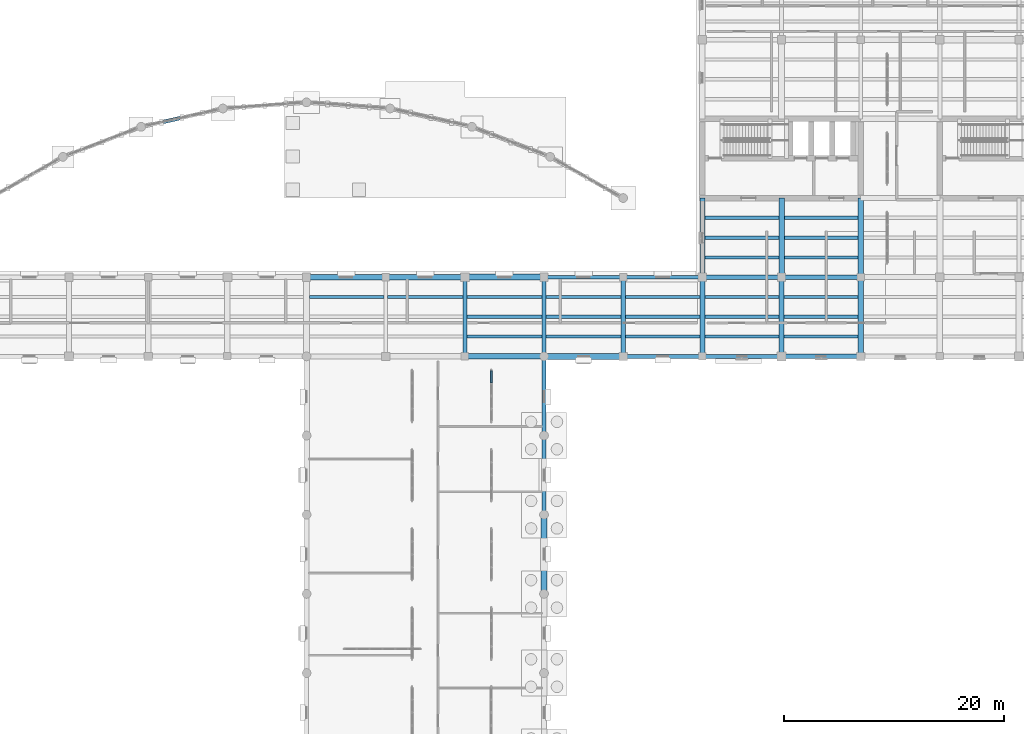
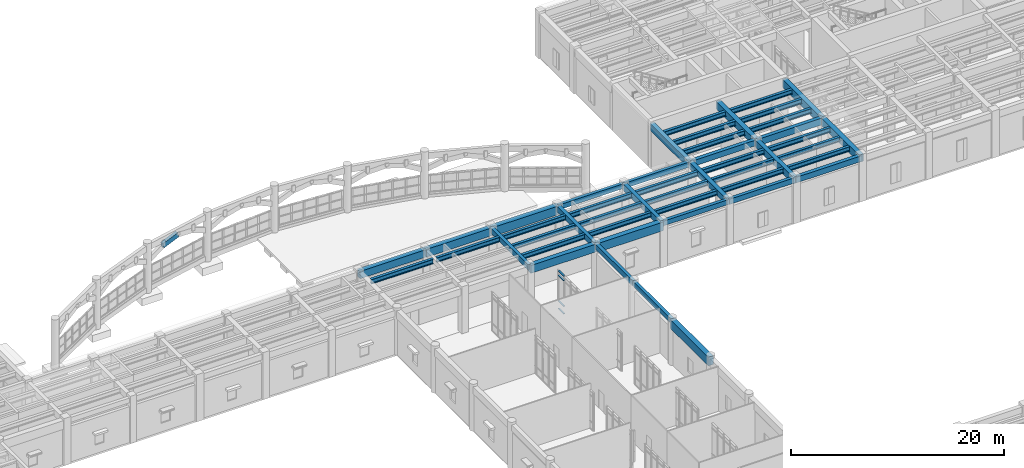
# One storey, part 30 of 100: 47 beams, 5 members, 1 element without a shape of its own.
"""IFC4 building model written with IfcOpenShell, lengths in metres."""

from ifc_helpers import new_model, si_unit, direction, frame, origin, origin_2d, place, context, subcontext, project, spatial, rectangle, i_section, extrude, material, material_profile, profile_set, type_object, element, aggregate, save


model = new_model("IFC4")

# Units and contexts
model_context = context("Model", 3, precision=1e-05, world=origin(), true_north=direction((0.0, 1.0)))
body_context = subcontext(model_context, "Body", "Model", "MODEL_VIEW")
ifc_project = project(units=[si_unit("LENGTHUNIT", "METRE"), si_unit("AREAUNIT", "SQUARE_METRE"), si_unit("VOLUMEUNIT", "CUBIC_METRE"), si_unit("PLANEANGLEUNIT", "RADIAN"), si_unit("MASSUNIT", "GRAM", prefix="KILO")], contexts=[model_context])

# Site, building, storey
site_placement = place(None, origin())
site = spatial("IfcSite", under=ifc_project, at=site_placement, CompositionType="ELEMENT")
building_placement = place(site_placement, origin())
building = spatial("IfcBuilding", under=site, at=building_placement, Name="Mithqara Police Headquarters", CompositionType="ELEMENT")
storey_placement = place(building_placement, origin())
storey = spatial("IfcBuildingStorey", under=building, at=storey_placement, Name="L00", CompositionType="ELEMENT", Elevation=0.0)

# Member
ifc_material_1 = material(Name="Concrete C50/60", Category="concrete")
ifc_material_profile_1 = material_profile(ifc_material_1, rectangle(XDim=0.35009765625, YDim=0.550048828125, at=origin_2d()), Name="ARC 350x550")
ifc_profile_set_1 = profile_set([ifc_material_profile_1], Name="Concrete C50/60")
member_type_1 = type_object("IfcMemberType", Name="ARCH SEG 350X550", PredefinedType="STRUT", material=ifc_profile_set_1)
member_1_placement = place(storey_placement, frame((59.416748046875, 99.896484375, 4.069091796875), z_axis=(0.956973714204, 0.21402850886, 0.195941592618), x_axis=(-0.218259342229, 0.975890803077, 0.0)))
element("IfcMember", 1, at=member_1_placement, inside=storey, type_object=member_type_1, Name="Forecourt Colonnade Bay 3 Ottoman Arch Chord 2", PredefinedType="STRUT", context=body_context, shape_type="SweptSolid", body=[
    extrude(rectangle(XDim=0.35009765625, YDim=0.550048828125, at=origin_2d()), origin(), (0.0, 0.0, 1.0), 1.94384765625),
])

# Beams
ifc_material_2 = material(Name="Steel S355JR", Category="steel")
ifc_material_profile_2 = material_profile(ifc_material_2, i_section(OverallWidth=0.300048828125, OverallDepth=0.550048828125, WebThickness=0.014892578125, FlangeThickness=0.029052734375, FilletRadius=0.027099609375, at=origin_2d()), Name="HEB 550")
ifc_profile_set_2 = profile_set([ifc_material_profile_2], Name="Steel S355JR")
beam_type_1 = type_object("IfcBeamType", Name="BEAM HEB550", PredefinedType="BEAM", material=ifc_profile_set_2)
beam_1_placement = place(storey_placement, frame((72.875, 84.0, 4.844970703125), z_axis=(1.0, 0.0, 0.0), x_axis=(0.0, 1.0, 0.0)))
element("IfcBeam", 2, at=beam_1_placement, inside=storey, type_object=beam_type_1, Name="L00 Composite Steel Joist 11-12/M.3", PredefinedType="BEAM", context=body_context, shape_type="SweptSolid", body=[
    extrude(i_section(OverallWidth=0.300048828125, OverallDepth=0.550048828125, WebThickness=0.014892578125, FlangeThickness=0.029052734375, FilletRadius=0.027099609375, at=origin_2d()), origin(), (0.0, 0.0, 1.0), 6.75),
])
beam_2_placement = place(storey_placement, frame((79.97509765625, 84.0, 4.844970703125), z_axis=(1.0, 0.0, 0.0), x_axis=(0.0, 1.0, 0.0)))
element("IfcBeam", 3, at=beam_2_placement, inside=storey, type_object=beam_type_1, Name="L00 Composite Steel Joist 12-13/M.3", PredefinedType="BEAM", context=body_context, shape_type="SweptSolid", body=[
    extrude(i_section(OverallWidth=0.300048828125, OverallDepth=0.550048828125, WebThickness=0.014892578125, FlangeThickness=0.029052734375, FilletRadius=0.027099609375, at=origin_2d()), origin(), (0.0, 0.0, 1.0), 6.849853515625),
])
for number, where, z_axis, x_axis, name in (
    (4, (87.175048828125, 80.39990234375, 4.844970703125), (1.0, 0.0, 0.0), (0.0, 1.0, 0.0), "L00 Composite Steel Joist 13-14/M.1"),
    (5, (87.175048828125, 82.199951171875, 4.844970703125), (1.0, 0.0, 0.0), (0.0, 1.0, 0.0), "L00 Composite Steel Joist 13-14/M.2"),
    (6, (87.175048828125, 84.0, 4.844970703125), (1.0, 0.0, 0.0), (0.0, 1.0, 0.0), "L00 Composite Steel Joist 13-14/M.3"),
):
    element("IfcBeam", number, at=place(storey_placement, frame(where, z_axis=z_axis, x_axis=x_axis)), inside=storey, type_object=beam_type_1, Name=name, PredefinedType="BEAM", context=body_context, shape_type="SweptSolid", body=[
        extrude(i_section(OverallWidth=0.300048828125, OverallDepth=0.550048828125, WebThickness=0.014892578125, FlangeThickness=0.029052734375, FilletRadius=0.027099609375, at=origin_2d()), origin(), (0.0, 0.0, 1.0), 6.824951171875),
    ])
for number, where, z_axis, x_axis, name in (
    (7, (94.39990234375, 80.39990234375, 4.844970703125), (1.0, 0.0, 0.0), (0.0, 1.0, 0.0), "L00 Composite Steel Joist 14-15/M.1"),
    (8, (94.39990234375, 82.199951171875, 4.844970703125), (1.0, 0.0, 0.0), (0.0, 1.0, 0.0), "L00 Composite Steel Joist 14-15/M.2"),
    (9, (94.39990234375, 84.0, 4.844970703125), (1.0, 0.0, 0.0), (0.0, 1.0, 0.0), "L00 Composite Steel Joist 14-15/M.3"),
):
    element("IfcBeam", number, at=place(storey_placement, frame(where, z_axis=z_axis, x_axis=x_axis)), inside=storey, type_object=beam_type_1, Name=name, PredefinedType="BEAM", context=body_context, shape_type="SweptSolid", body=[
        extrude(i_section(OverallWidth=0.300048828125, OverallDepth=0.550048828125, WebThickness=0.014892578125, FlangeThickness=0.029052734375, FilletRadius=0.027099609375, at=origin_2d()), origin(), (0.0, 0.0, 1.0), 6.800048828125),
    ])
for number, where, z_axis, x_axis, name in (
    (10, (101.60009765625, 80.39990234375, 4.844970703125), (1.0, 0.0, 0.0), (0.0, 1.0, 0.0), "L00 Composite Steel Joist 15-16/M.1"),
    (11, (101.60009765625, 82.199951171875, 4.844970703125), (1.0, 0.0, 0.0), (0.0, 1.0, 0.0), "L00 Composite Steel Joist 15-16/M.2"),
    (12, (101.60009765625, 84.0, 4.844970703125), (1.0, 0.0, 0.0), (0.0, 1.0, 0.0), "L00 Composite Steel Joist 15-16/M.3"),
):
    element("IfcBeam", number, at=place(storey_placement, frame(where, z_axis=z_axis, x_axis=x_axis)), inside=storey, type_object=beam_type_1, Name=name, PredefinedType="BEAM", context=body_context, shape_type="SweptSolid", body=[
        extrude(i_section(OverallWidth=0.300048828125, OverallDepth=0.550048828125, WebThickness=0.014892578125, FlangeThickness=0.029052734375, FilletRadius=0.027099609375, at=origin_2d()), origin(), (0.0, 0.0, 1.0), 6.77490234375),
    ])
for number, where, z_axis, x_axis, name in (
    (13, (108.824951171875, 80.39990234375, 4.844970703125), (1.0, 0.0, 0.0), (0.0, 1.0, 0.0), "L00 Composite Steel Joist 16-17/M.1"),
    (14, (108.824951171875, 82.199951171875, 4.844970703125), (1.0, 0.0, 0.0), (0.0, 1.0, 0.0), "L00 Composite Steel Joist 16-17/M.2"),
    (15, (108.824951171875, 84.0, 4.844970703125), (1.0, 0.0, 0.0), (0.0, 1.0, 0.0), "L00 Composite Steel Joist 16-17/M.3"),
):
    element("IfcBeam", number, at=place(storey_placement, frame(where, z_axis=z_axis, x_axis=x_axis)), inside=storey, type_object=beam_type_1, Name=name, PredefinedType="BEAM", context=body_context, shape_type="SweptSolid", body=[
        extrude(i_section(OverallWidth=0.300048828125, OverallDepth=0.550048828125, WebThickness=0.014892578125, FlangeThickness=0.029052734375, FilletRadius=0.027099609375, at=origin_2d()), origin(), (0.0, 0.0, 1.0), 6.75),
    ])
for number, where, z_axis, x_axis, name in (
    (16, (108.824951171875, 87.60009765625, 4.844970703125), (1.0, 0.0, 0.0), (0.0, 1.0, 0.0), "L00 Composite Steel Joist 16-17/N.1"),
    (17, (108.824951171875, 89.39990234375, 4.844970703125), (1.0, 0.0, 0.0), (0.0, 1.0, 0.0), "L00 Composite Steel Joist 16-17/N.2"),
    (18, (108.824951171875, 91.199951171875, 4.844970703125), (1.0, 0.0, 0.0), (0.0, 1.0, 0.0), "L00 Composite Steel Joist 16-17/N.3"),
    (19, (116.02490234375, 80.39990234375, 4.844970703125), (1.0, 0.0, 0.0), (0.0, 1.0, 0.0), "L00 Composite Steel Joist 17-18/M.1"),
    (20, (116.02490234375, 82.199951171875, 4.844970703125), (1.0, 0.0, 0.0), (0.0, 1.0, 0.0), "L00 Composite Steel Joist 17-18/M.2"),
    (21, (116.02490234375, 84.0, 4.844970703125), (1.0, 0.0, 0.0), (0.0, 1.0, 0.0), "L00 Composite Steel Joist 17-18/M.3"),
):
    element("IfcBeam", number, at=place(storey_placement, frame(where, z_axis=z_axis, x_axis=x_axis)), inside=storey, type_object=beam_type_1, Name=name, PredefinedType="BEAM", context=body_context, shape_type="SweptSolid", body=[
        extrude(i_section(OverallWidth=0.300048828125, OverallDepth=0.550048828125, WebThickness=0.014892578125, FlangeThickness=0.029052734375, FilletRadius=0.027099609375, at=origin_2d()), origin(), (0.0, 0.0, 1.0), 6.72509765625),
    ])
for number, where, z_axis, x_axis, name in (
    (22, (116.050048828125, 87.60009765625, 4.844970703125), (1.0, 0.0, 0.0), (0.0, 1.0, 0.0), "L00 Composite Steel Joist 17-18/N.1"),
    (23, (116.050048828125, 89.39990234375, 4.844970703125), (1.0, 0.0, 0.0), (0.0, 1.0, 0.0), "L00 Composite Steel Joist 17-18/N.2"),
    (24, (116.050048828125, 91.199951171875, 4.844970703125), (1.0, 0.0, 0.0), (0.0, 1.0, 0.0), "L00 Composite Steel Joist 17-18/N.3"),
):
    element("IfcBeam", number, at=place(storey_placement, frame(where, z_axis=z_axis, x_axis=x_axis)), inside=storey, type_object=beam_type_1, Name=name, PredefinedType="BEAM", context=body_context, shape_type="SweptSolid", body=[
        extrude(i_section(OverallWidth=0.300048828125, OverallDepth=0.550048828125, WebThickness=0.014892578125, FlangeThickness=0.029052734375, FilletRadius=0.027099609375, at=origin_2d()), origin(), (0.0, 0.0, 1.0), 6.699951171875),
    ])
ifc_material_3 = material(Name="Concrete C40/50", Category="concrete")
ifc_material_profile_3 = material_profile(ifc_material_3, rectangle(XDim=0.35009765625, YDim=0.550048828125, at=origin_2d()), Name="RC 350x550")
ifc_profile_set_3 = profile_set([ifc_material_profile_3], Name="Concrete C40/50")
beam_type_2 = type_object("IfcBeamType", Name="BEAM RC350X550", PredefinedType="BEAM", material=ifc_profile_set_3)
for number, where, z_axis, x_axis, name in (
    (25, (94.199951171875, 64.199951171875, 4.844970703125), (0.0, 1.0, 0.0), (-1.0, 0.0, 0.0), "L00 Girder 14/K-L"),
    (26, (94.199951171875, 85.800048828125, 4.844970703125), (1.0, 0.0, 0.0), (0.0, 1.0, 0.0), "L00 Girder 14-15/N"),
):
    element("IfcBeam", number, at=place(storey_placement, frame(where, z_axis=z_axis, x_axis=x_axis)), inside=storey, type_object=beam_type_2, Name=name, PredefinedType="BEAM", context=body_context, shape_type="SweptSolid", body=[
        extrude(rectangle(XDim=0.35009765625, YDim=0.550048828125, at=origin_2d()), origin(), (0.0, 0.0, 1.0), 7.199951171875),
    ])
beam_3_placement = place(storey_placement, frame((101.39990234375, 78.60009765625, 4.844970703125), z_axis=(1.0, 0.0, 0.0), x_axis=(0.0, 1.0, 0.0)))
element("IfcBeam", 27, at=beam_3_placement, inside=storey, type_object=beam_type_2, Name="L00 Girder 15-16/M", PredefinedType="BEAM", context=body_context, shape_type="SweptSolid", body=[
    extrude(rectangle(XDim=0.35009765625, YDim=0.550048828125, at=origin_2d()), origin(), (0.0, 0.0, 1.0), 7.2001953125),
])
ifc_material_profile_4 = material_profile(ifc_material_3, rectangle(XDim=0.35009765625, YDim=0.60009765625, at=origin_2d()), Name="RC 350x600")
ifc_profile_set_4 = profile_set([ifc_material_profile_4], Name="Concrete C40/50")
beam_type_3 = type_object("IfcBeamType", Name="BEAM RC350X600", PredefinedType="BEAM", material=ifc_profile_set_4)
beam_4_placement = place(storey_placement, frame((87.0, 78.60009765625, 4.820068359375), z_axis=(0.0, 1.0, 0.0), x_axis=(-1.0, 0.0, 0.0)))
element("IfcBeam", 28, at=beam_4_placement, inside=storey, type_object=beam_type_3, Name="L00 Girder 13/M-N", PredefinedType="BEAM", context=body_context, shape_type="SweptSolid", body=[
    extrude(rectangle(XDim=0.35009765625, YDim=0.60009765625, at=origin_2d()), origin(), (0.0, 0.0, 1.0), 7.199951171875),
])
for number, where, z_axis, x_axis, name in (
    (29, (94.199951171875, 71.39990234375, 4.820068359375), (0.0, 1.0, 0.0), (-1.0, 0.0, 0.0), "L00 Girder 14/L-M"),
    (30, (101.39990234375, 85.800048828125, 4.820068359375), (1.0, 0.0, 0.0), (0.0, 1.0, 0.0), "L00 Girder 15-16/N"),
):
    element("IfcBeam", number, at=place(storey_placement, frame(where, z_axis=z_axis, x_axis=x_axis)), inside=storey, type_object=beam_type_3, Name=name, PredefinedType="BEAM", context=body_context, shape_type="SweptSolid", body=[
        extrude(rectangle(XDim=0.35009765625, YDim=0.60009765625, at=origin_2d()), origin(), (0.0, 0.0, 1.0), 7.2001953125),
    ])
beam_5_placement = place(storey_placement, frame((108.60009765625, 78.60009765625, 4.820068359375), z_axis=(1.0, 0.0, 0.0), x_axis=(0.0, 1.0, 0.0)))
element("IfcBeam", 31, at=beam_5_placement, inside=storey, type_object=beam_type_3, Name="L00 Girder 16-17/M", PredefinedType="BEAM", context=body_context, shape_type="SweptSolid", body=[
    extrude(rectangle(XDim=0.35009765625, YDim=0.60009765625, at=origin_2d()), origin(), (0.0, 0.0, 1.0), 7.199951171875),
])
ifc_material_profile_5 = material_profile(ifc_material_3, rectangle(XDim=0.39990234375, YDim=0.64990234375, at=origin_2d()), Name="RC 400x650")
ifc_profile_set_5 = profile_set([ifc_material_profile_5], Name="Concrete C40/50")
beam_type_4 = type_object("IfcBeamType", Name="BEAM RC400X650", PredefinedType="BEAM", material=ifc_profile_set_5)
for number, where, z_axis, x_axis, name in (
    (32, (94.199951171875, 78.60009765625, 4.794921875), (0.0, 1.0, 0.0), (-1.0, 0.0, 0.0), "L00 Girder 14/M-N"),
    (33, (108.60009765625, 85.800048828125, 4.794921875), (1.0, 0.0, 0.0), (0.0, 1.0, 0.0), "L00 Girder 16-17/N"),
    (34, (115.800048828125, 78.60009765625, 4.794921875), (1.0, 0.0, 0.0), (0.0, 1.0, 0.0), "L00 Girder 17-18/M"),
):
    element("IfcBeam", number, at=place(storey_placement, frame(where, z_axis=z_axis, x_axis=x_axis)), inside=storey, type_object=beam_type_4, Name=name, PredefinedType="BEAM", context=body_context, shape_type="SweptSolid", body=[
        extrude(rectangle(XDim=0.39990234375, YDim=0.64990234375, at=origin_2d()), origin(), (0.0, 0.0, 1.0), 7.199951171875),
    ])
ifc_material_profile_6 = material_profile(ifc_material_3, rectangle(XDim=0.39990234375, YDim=0.75, at=origin_2d()), Name="RC 400x750")
ifc_profile_set_6 = profile_set([ifc_material_profile_6], Name="Concrete C40/50")
beam_type_5 = type_object("IfcBeamType", Name="BEAM RC400X750", PredefinedType="BEAM", material=ifc_profile_set_6)
for number, where, z_axis, x_axis, name in (
    (35, (101.39990234375, 78.60009765625, 4.7451171875), (0.0, 1.0, 0.0), (-1.0, 0.0, 0.0), "L00 Girder 15/M-N"),
    (36, (115.800048828125, 85.800048828125, 4.7451171875), (1.0, 0.0, 0.0), (0.0, 1.0, 0.0), "L00 Girder 17-18/N"),
):
    element("IfcBeam", number, at=place(storey_placement, frame(where, z_axis=z_axis, x_axis=x_axis)), inside=storey, type_object=beam_type_5, Name=name, PredefinedType="BEAM", context=body_context, shape_type="SweptSolid", body=[
        extrude(rectangle(XDim=0.39990234375, YDim=0.75, at=origin_2d()), origin(), (0.0, 0.0, 1.0), 7.199951171875),
    ])
ifc_material_profile_7 = material_profile(ifc_material_3, rectangle(XDim=0.449951171875, YDim=0.699951171875, at=origin_2d()), Name="RC 450x700")
ifc_profile_set_7 = profile_set([ifc_material_profile_7], Name="Concrete C40/50")
beam_type_6 = type_object("IfcBeamType", Name="BEAM RC450X700", PredefinedType="BEAM", material=ifc_profile_set_7)
beam_6_placement = place(storey_placement, frame((108.60009765625, 78.60009765625, 4.77001953125), z_axis=(0.0, 1.0, 0.0), x_axis=(-1.0, 0.0, 0.0)))
element("IfcBeam", 37, at=beam_6_placement, inside=storey, type_object=beam_type_6, Name="L00 Girder 16/M-N", PredefinedType="BEAM", context=body_context, shape_type="SweptSolid", body=[
    extrude(rectangle(XDim=0.449951171875, YDim=0.699951171875, at=origin_2d()), origin(), (0.0, 0.0, 1.0), 7.199951171875),
])
ifc_material_profile_8 = material_profile(ifc_material_3, rectangle(XDim=0.449951171875, YDim=0.800048828125, at=origin_2d()), Name="RC 450x800")
ifc_profile_set_8 = profile_set([ifc_material_profile_8], Name="Concrete C40/50")
beam_type_7 = type_object("IfcBeamType", Name="BEAM RC450X800", PredefinedType="BEAM", material=ifc_profile_set_8)
for number, where, z_axis, x_axis, name in (
    (38, (108.60009765625, 85.800048828125, 4.719970703125), (0.0, 1.0, 0.0), (-1.0, 0.0, 0.0), "L00 Girder 16/N-P"),
    (39, (115.800048828125, 78.60009765625, 4.719970703125), (0.0, 1.0, 0.0), (-1.0, 0.0, 0.0), "L00 Girder 17/M-N"),
):
    element("IfcBeam", number, at=place(storey_placement, frame(where, z_axis=z_axis, x_axis=x_axis)), inside=storey, type_object=beam_type_7, Name=name, PredefinedType="BEAM", context=body_context, shape_type="SweptSolid", body=[
        extrude(rectangle(XDim=0.449951171875, YDim=0.800048828125, at=origin_2d()), origin(), (0.0, 0.0, 1.0), 7.199951171875),
    ])
ifc_material_profile_9 = material_profile(ifc_material_3, rectangle(XDim=0.5, YDim=0.85009765625, at=origin_2d()), Name="RC 500x850")
ifc_profile_set_9 = profile_set([ifc_material_profile_9], Name="Concrete C40/50")
beam_type_8 = type_object("IfcBeamType", Name="BEAM RC500X850", PredefinedType="BEAM", material=ifc_profile_set_9)
for number, where, z_axis, x_axis, name in (
    (40, (72.60009765625, 85.800048828125, 4.695068359375), (1.0, 0.0, 0.0), (0.0, 1.0, 0.0), "L00 Girder 11-12/N"),
    (41, (115.800048828125, 85.800048828125, 4.695068359375), (0.0, 1.0, 0.0), (-1.0, 0.0, 0.0), "L00 Girder 17/N-P"),
    (42, (123.0, 78.60009765625, 4.695068359375), (0.0, 1.0, 0.0), (-1.0, 0.0, 0.0), "L00 Girder 18/M-N"),
):
    element("IfcBeam", number, at=place(storey_placement, frame(where, z_axis=z_axis, x_axis=x_axis)), inside=storey, type_object=beam_type_8, Name=name, PredefinedType="BEAM", context=body_context, shape_type="SweptSolid", body=[
        extrude(rectangle(XDim=0.5, YDim=0.85009765625, at=origin_2d()), origin(), (0.0, 0.0, 1.0), 7.199951171875),
    ])
ifc_material_profile_10 = material_profile(ifc_material_1, rectangle(XDim=0.5, YDim=0.89990234375, at=origin_2d()), Name="RC 500x900")
ifc_profile_set_10 = profile_set([ifc_material_profile_10], Name="Concrete C50/60")
beam_type_9 = type_object("IfcBeamType", Name="BEAM RC500X900", PredefinedType="BEAM", material=ifc_profile_set_10)
for number, where, z_axis, x_axis, name in (
    (43, (79.800048828125, 85.800048828125, 4.669921875), (1.0, 0.0, 0.0), (0.0, 1.0, 0.0), "L00 Girder 12-13/N"),
    (44, (87.0, 78.60009765625, 4.669921875), (1.0, 0.0, 0.0), (0.0, 1.0, 0.0), "L00 Girder 13-14/M"),
    (45, (123.0, 85.800048828125, 4.669921875), (0.0, 1.0, 0.0), (-1.0, 0.0, 0.0), "L00 Girder 18/N-P"),
):
    element("IfcBeam", number, at=place(storey_placement, frame(where, z_axis=z_axis, x_axis=x_axis)), inside=storey, type_object=beam_type_9, Name=name, PredefinedType="BEAM", context=body_context, shape_type="SweptSolid", body=[
        extrude(rectangle(XDim=0.5, YDim=0.89990234375, at=origin_2d()), origin(), (0.0, 0.0, 1.0), 7.199951171875),
    ])
ifc_material_profile_11 = material_profile(ifc_material_1, rectangle(XDim=0.550048828125, YDim=1.0, at=origin_2d()), Name="RC 550x1000")
ifc_profile_set_11 = profile_set([ifc_material_profile_11], Name="Concrete C50/60")
beam_type_10 = type_object("IfcBeamType", Name="BEAM RC550X1000", PredefinedType="BEAM", material=ifc_profile_set_11)
for number, where, z_axis, x_axis, name in (
    (46, (87.0, 85.800048828125, 4.6201171875), (1.0, 0.0, 0.0), (0.0, 1.0, 0.0), "L00 Girder 13-14/N"),
    (47, (94.199951171875, 57.0, 4.6201171875), (0.0, 1.0, 0.0), (-1.0, 0.0, 0.0), "L00 Girder 14/J-K"),
    (48, (94.199951171875, 78.60009765625, 4.6201171875), (1.0, 0.0, 0.0), (0.0, 1.0, 0.0), "L00 Girder 14-15/M"),
):
    element("IfcBeam", number, at=place(storey_placement, frame(where, z_axis=z_axis, x_axis=x_axis)), inside=storey, type_object=beam_type_10, Name=name, PredefinedType="BEAM", context=body_context, shape_type="SweptSolid", body=[
        extrude(rectangle(XDim=0.550048828125, YDim=1.0, at=origin_2d()), origin(), (0.0, 0.0, 1.0), 7.199951171875),
    ])

# Curtain wall, members
ifc_material_4 = material(Name="Bronze anodised aluminium 6063-T6", Category="aluminium")
curtain_wall_type = type_object("IfcCurtainWallType", Name="CURTAIN WALL 4700X4400", PredefinedType="USERDEFINED", material=ifc_material_4)
curtain_wall_placement = place(storey_placement, origin())
curtain_wall = element("IfcCurtainWall", 49, at=curtain_wall_placement, inside=storey, type_object=curtain_wall_type, Name="L00 Unitised Glazing CW-14 (CW-INT-L00-X12-Y10-0)", ObjectType="UNITISED GLAZING", PredefinedType="USERDEFINED")
ifc_material_profile_12 = material_profile(ifc_material_4, rectangle(XDim=0.179931640625, YDim=0.074951171875, at=origin_2d()), Name="CWT 180x75")
ifc_profile_set_12 = profile_set([ifc_material_profile_12], Name="Bronze anodised aluminium 6063-T6")
member_type_2 = type_object("IfcMemberType", Name="CWTRANSOM 180X75", PredefinedType="USERDEFINED", material=ifc_profile_set_12)
member_2_placement = place(storey_placement, frame((89.39990234375, 76.21240234375, 0.03759765625), z_axis=(0.0, 1.0, 0.0), x_axis=(-1.0, 0.0, 0.0)))
member_2 = element("IfcMember", 50, at=member_2_placement, type_object=member_type_2, Name="CW-14 transom 4.1", ObjectType="TRANSOM", PredefinedType="USERDEFINED", context=body_context, shape_type="SweptSolid", body=[
    extrude(rectangle(XDim=0.179931640625, YDim=0.074951171875, at=origin_2d()), origin(), (0.0, 0.0, 1.0), 1.0625),
])
member_3_placement = place(storey_placement, frame((89.39990234375, 76.21240234375, 0.89990234375), z_axis=(0.0, 1.0, 0.0), x_axis=(-1.0, 0.0, 0.0)))
member_3 = element("IfcMember", 51, at=member_3_placement, type_object=member_type_2, Name="CW-14 transom 4.2", ObjectType="TRANSOM", PredefinedType="USERDEFINED", context=body_context, shape_type="SweptSolid", body=[
    extrude(rectangle(XDim=0.179931640625, YDim=0.074951171875, at=origin_2d()), origin(), (0.0, 0.0, 1.0), 1.0625),
])
member_4_placement = place(storey_placement, frame((89.39990234375, 76.21240234375, 3.85009765625), z_axis=(0.0, 1.0, 0.0), x_axis=(-1.0, 0.0, 0.0)))
member_4 = element("IfcMember", 52, at=member_4_placement, type_object=member_type_2, Name="CW-14 transom 4.3", ObjectType="TRANSOM", PredefinedType="USERDEFINED", context=body_context, shape_type="SweptSolid", body=[
    extrude(rectangle(XDim=0.179931640625, YDim=0.074951171875, at=origin_2d()), origin(), (0.0, 0.0, 1.0), 1.0625),
])
member_5_placement = place(storey_placement, frame((89.39990234375, 76.21240234375, 4.362548828125), z_axis=(0.0, 1.0, 0.0), x_axis=(-1.0, 0.0, 0.0)))
member_5 = element("IfcMember", 53, at=member_5_placement, type_object=member_type_2, Name="CW-14 transom 4.4", ObjectType="TRANSOM", PredefinedType="USERDEFINED", context=body_context, shape_type="SweptSolid", body=[
    extrude(rectangle(XDim=0.179931640625, YDim=0.074951171875, at=origin_2d()), origin(), (0.0, 0.0, 1.0), 1.0625),
])
aggregate(curtain_wall, [member_2, member_3, member_4, member_5])

save(model, "model.ifc")
